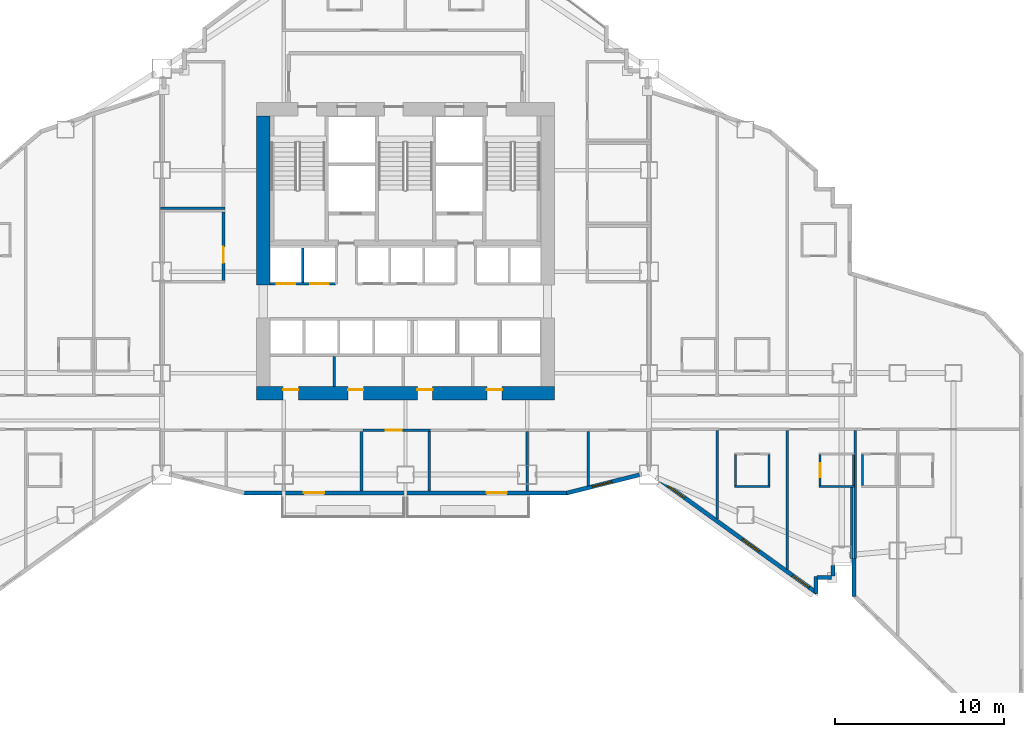
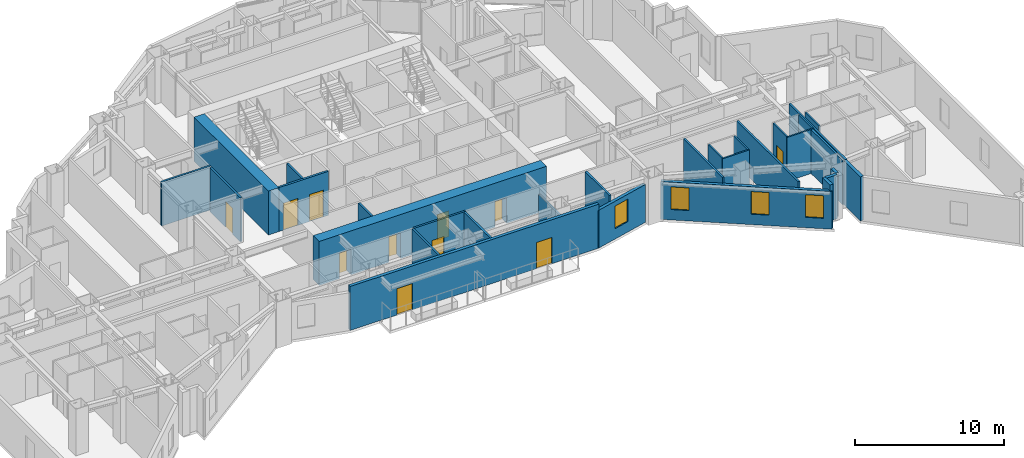
# One storey, part 8 of 18: 30 walls, 11 doors, 4 windows, 15 openings.
"""IFC4 building model written with IfcOpenShell, lengths in metres."""

from ifc_helpers import new_model, si_unit, direction, frame, frame_2d, origin, place, context, subcontext, project, spatial, rectangle, extrude, material, layer, layer_set, type_object, element, fill, save


model = new_model("IFC4")

# Units and contexts
model_context = context("Model", 3, precision=1e-05, world=origin(), true_north=direction((0.0, 1.0)))
body_context = subcontext(model_context, "Body", "Model", "MODEL_VIEW")
ifc_project = project(units=[si_unit("LENGTHUNIT", "METRE"), si_unit("AREAUNIT", "SQUARE_METRE"), si_unit("VOLUMEUNIT", "CUBIC_METRE"), si_unit("PLANEANGLEUNIT", "RADIAN"), si_unit("MASSUNIT", "GRAM", prefix="KILO")], contexts=[model_context])

# Site, building, storey
site_placement = place(None, origin())
site = spatial("IfcSite", under=ifc_project, at=site_placement, CompositionType="ELEMENT")
building_placement = place(site_placement, origin())
building = spatial("IfcBuilding", under=site, at=building_placement, Name="Haolan Belvedere Tower", CompositionType="ELEMENT")
storey_placement = place(building_placement, frame((0.0, 0.0, 51.39990234375)))
storey = spatial("IfcBuildingStorey", under=building, at=storey_placement, Name="L12", CompositionType="ELEMENT", Elevation=51.39990234375)

# Wall, openings, doors
ifc_material_1 = material(Name="Concrete C70/85", Category="concrete")
ifc_layer_1 = layer(ifc_material_1, 0.800048828125, Name="Concrete C70/85")
ifc_layer_set_1 = layer_set([ifc_layer_1], Name="Concrete C70/85")
wall_type_1 = type_object("IfcWallType", Name="WL-CORE-800", PredefinedType="SHEAR", material=ifc_layer_set_1)
wall_1_placement = place(storey_placement, frame((29.60009765625, 26.39990234375, 0.0), z_axis=(0.0, 0.0, 1.0), x_axis=(1.0, 0.0, 0.0)))
wall_1 = element("IfcWall", 1, at=wall_1_placement, inside=storey, type_object=wall_type_1, Name="L12 central core south shear wall", PredefinedType="SHEAR", context=body_context, shape_type="SweptSolid", body=[
    extrude(rectangle(XDim=17.599853515625, YDim=0.800048828125, at=frame_2d((8.7998046875, 0.0))), origin(), (0.0, 0.0, 1.0), 3.60009765625),
])
opening_1_placement = place(wall_1_placement, frame((2.469970703125, 0.0, 0.0), z_axis=(0.0, 0.0, 1.0), x_axis=(-1.0, 0.0, 0.0)))
opening_1 = element("IfcOpeningElement", 2, at=opening_1_placement, cuts=wall_1, Name="Opening FD-05", PredefinedType="OPENING", context=body_context, shape_type="SweptSolid", body=[
    extrude(rectangle(XDim=0.89990234375, YDim=2.10009765625, at=frame_2d((0.449951171875, 1.050048828125))), frame((0.0, 0.409912109375, 0.0), z_axis=(0.0, -1.0, 0.0), x_axis=(1.0, 0.0, 0.0)), (0.0, 0.0, 1.0), 0.820068359375),
])
opening_2_placement = place(wall_1_placement, frame((6.309814453125, 0.0, 0.0), z_axis=(0.0, 0.0, 1.0), x_axis=(-1.0, 0.0, 0.0)))
opening_2 = element("IfcOpeningElement", 3, at=opening_2_placement, cuts=wall_1, Name="Opening FD-05", PredefinedType="OPENING", context=body_context, shape_type="SweptSolid", body=[
    extrude(rectangle(XDim=0.89990234375, YDim=2.10009765625, at=frame_2d((0.449951171875, 1.050048828125))), frame((0.0, 0.409912109375, 0.0), z_axis=(0.0, -1.0, 0.0), x_axis=(1.0, 0.0, 0.0)), (0.0, 0.0, 1.0), 0.820068359375),
])
opening_3_placement = place(wall_1_placement, frame((10.409912109375, 0.0, 0.0), z_axis=(0.0, 0.0, 1.0), x_axis=(-1.0, 0.0, 0.0)))
opening_3 = element("IfcOpeningElement", 4, at=opening_3_placement, cuts=wall_1, Name="Opening FD-05", PredefinedType="OPENING", context=body_context, shape_type="SweptSolid", body=[
    extrude(rectangle(XDim=0.89990234375, YDim=2.10009765625, at=frame_2d((0.449951171875, 1.050048828125))), frame((0.0, 0.409912109375, 0.0), z_axis=(0.0, -1.0, 0.0), x_axis=(1.0, 0.0, 0.0)), (0.0, 0.0, 1.0), 0.820068359375),
])
opening_4_placement = place(wall_1_placement, frame((14.510009765625, 0.0, 0.0), z_axis=(0.0, 0.0, 1.0), x_axis=(-1.0, 0.0, 0.0)))
opening_4 = element("IfcOpeningElement", 5, at=opening_4_placement, cuts=wall_1, Name="Opening FD-05", PredefinedType="OPENING", context=body_context, shape_type="SweptSolid", body=[
    extrude(rectangle(XDim=0.89990234375, YDim=2.10009765625, at=frame_2d((0.449951171875, 1.050048828125))), frame((0.0, 0.409912109375, 0.0), z_axis=(0.0, -1.0, 0.0), x_axis=(1.0, 0.0, 0.0)), (0.0, 0.0, 1.0), 0.820068359375),
])
ifc_material_2 = material(Name="Galvanised fire-rated steel", Category="steel")
door_type_1 = type_object("IfcDoorType", Name="DR-FD60-900", OperationType="NOTDEFINED", PredefinedType="DOOR", material=ifc_material_2)
door_1_placement = place(opening_1_placement, origin())
door_1 = element("IfcDoor", 6, at=door_1_placement, inside=storey, type_object=door_type_1, Name="L12 door CD-L12-SCV-1", OperationType="SINGLE_SWING_LEFT", OverallHeight=2.10009765625, OverallWidth=0.89990234375, PredefinedType="DOOR", context=body_context, shape_type="SweptSolid", body=[
    extrude(rectangle(XDim=0.89990234375, YDim=2.10009765625, at=frame_2d((0.449951171875, 1.050048828125))), frame((0.0, -0.19482421875, 0.0), z_axis=(0.0, -1.0, 0.0), x_axis=(1.0, 0.0, 0.0)), (0.0, 0.0, 1.0), 0.050048828125),
])
fill(opening_1, door_1)
door_2_placement = place(opening_2_placement, origin())
door_2 = element("IfcDoor", 7, at=door_2_placement, inside=storey, type_object=door_type_1, Name="L12 door CD-L12-SCV-2", OperationType="SINGLE_SWING_RIGHT", OverallHeight=2.10009765625, OverallWidth=0.89990234375, PredefinedType="DOOR", context=body_context, shape_type="SweptSolid", body=[
    extrude(rectangle(XDim=0.89990234375, YDim=2.10009765625, at=frame_2d((0.449951171875, 1.050048828125))), frame((0.0, -0.19482421875, 0.0), z_axis=(0.0, -1.0, 0.0), x_axis=(1.0, 0.0, 0.0)), (0.0, 0.0, 1.0), 0.050048828125),
])
fill(opening_2, door_2)
door_3_placement = place(opening_3_placement, origin())
door_3 = element("IfcDoor", 8, at=door_3_placement, inside=storey, type_object=door_type_1, Name="L12 door CD-L12-SCV-3", OperationType="SINGLE_SWING_LEFT", OverallHeight=2.10009765625, OverallWidth=0.89990234375, PredefinedType="DOOR", context=body_context, shape_type="SweptSolid", body=[
    extrude(rectangle(XDim=0.89990234375, YDim=2.10009765625, at=frame_2d((0.449951171875, 1.050048828125))), frame((0.0, -0.19482421875, 0.0), z_axis=(0.0, -1.0, 0.0), x_axis=(1.0, 0.0, 0.0)), (0.0, 0.0, 1.0), 0.050048828125),
])
fill(opening_3, door_3)
door_4_placement = place(opening_4_placement, origin())
door_4 = element("IfcDoor", 9, at=door_4_placement, inside=storey, type_object=door_type_1, Name="L12 door CD-L12-SCV-4", OperationType="SINGLE_SWING_RIGHT", OverallHeight=2.10009765625, OverallWidth=0.89990234375, PredefinedType="DOOR", context=body_context, shape_type="SweptSolid", body=[
    extrude(rectangle(XDim=0.89990234375, YDim=2.10009765625, at=frame_2d((0.449951171875, 1.050048828125))), frame((0.0, -0.19482421875, 0.0), z_axis=(0.0, -1.0, 0.0), x_axis=(1.0, 0.0, 0.0)), (0.0, 0.0, 1.0), 0.050048828125),
])
fill(opening_4, door_4)

# Wall
wall_2_placement = place(storey_placement, frame((30.0, 32.800048828125, 0.0), z_axis=(0.0, 0.0, 1.0), x_axis=(0.0, 1.0, 0.0)))
element("IfcWall", 10, at=wall_2_placement, inside=storey, type_object=wall_type_1, Name="L12 central core shear wall WN", PredefinedType="SHEAR", context=body_context, shape_type="SweptSolid", body=[
    extrude(rectangle(XDim=10.0, YDim=0.800048828125, at=frame_2d((5.0, 0.0))), origin(), (0.0, 0.0, 1.0), 3.60009765625),
])

# Wall, openings, doors
ifc_material_3 = material(Name="Precast concrete C40/50", Category="concrete")
ifc_layer_2 = layer(ifc_material_3, 0.239990234375, Name="Precast concrete C40/50")
ifc_layer_set_2 = layer_set([ifc_layer_2], Name="Precast concrete C40/50")
wall_type_2 = type_object("IfcWallType", Name="WL-EXT-240", PredefinedType="SOLIDWALL", material=ifc_layer_set_2)
wall_3_placement = place(storey_placement, frame((28.759765625, 20.52001953125, 0.0), z_axis=(0.0, 0.0, 1.0), x_axis=(1.0, 0.0, 0.0)))
wall_3 = element("IfcWall", 11, at=wall_3_placement, inside=storey, type_object=wall_type_2, Name="L12 pale-metal exterior spandrel wall 13.1", PredefinedType="SOLIDWALL", context=body_context, shape_type="SweptSolid", body=[
    extrude(rectangle(XDim=19.280517578125, YDim=0.239990234375, at=frame_2d((9.64013671875, 0.0))), origin(), (0.0, 0.0, 1.0), 3.60009765625),
])
opening_5_placement = place(wall_3_placement, frame((4.840087890625, 0.0, 0.0), z_axis=(0.0, 0.0, 1.0), x_axis=(-1.0, 0.0, 0.0)))
opening_5 = element("IfcOpeningElement", 12, at=opening_5_placement, cuts=wall_3, Name="Opening BD-01", PredefinedType="OPENING", context=body_context, shape_type="SweptSolid", body=[
    extrude(rectangle(XDim=1.199951171875, YDim=2.14990234375, at=frame_2d((0.60009765625, 1.074951171875))), frame((0.0, 0.1298828125, 0.0), z_axis=(0.0, -1.0, 0.0), x_axis=(1.0, 0.0, 0.0)), (0.0, 0.0, 1.0), 0.260009765625),
])
opening_6_placement = place(wall_3_placement, frame((15.64013671875, 0.0, 0.0), z_axis=(0.0, 0.0, 1.0), x_axis=(-1.0, 0.0, 0.0)))
opening_6 = element("IfcOpeningElement", 13, at=opening_6_placement, cuts=wall_3, Name="Opening BD-01", PredefinedType="OPENING", context=body_context, shape_type="SweptSolid", body=[
    extrude(rectangle(XDim=1.199951171875, YDim=2.14990234375, at=frame_2d((0.60009765625, 1.074951171875))), frame((0.0, 0.1298828125, 0.0), z_axis=(0.0, -1.0, 0.0), x_axis=(1.0, 0.0, 0.0)), (0.0, 0.0, 1.0), 0.260009765625),
])
ifc_material_4 = material(Name="Thermally broken pale-metal aluminium and Low-E glass", Category="aluminium")
door_type_2 = type_object("IfcDoorType", Name="DR-BAL-1200", OperationType="NOTDEFINED", PredefinedType="DOOR", material=ifc_material_4)
door_5_placement = place(opening_5_placement, origin())
door_5 = element("IfcDoor", 14, at=door_5_placement, inside=storey, type_object=door_type_2, Name="L12 tree-balcony access door 1", OperationType="SINGLE_SWING_RIGHT", OverallHeight=2.14990234375, OverallWidth=1.199951171875, PredefinedType="DOOR", context=body_context, shape_type="SweptSolid", body=[
    extrude(rectangle(XDim=1.199951171875, YDim=2.14990234375, at=frame_2d((0.60009765625, 1.074951171875))), frame((0.0, 0.02490234375, 0.0), z_axis=(0.0, -1.0, 0.0), x_axis=(1.0, 0.0, 0.0)), (0.0, 0.0, 1.0), 0.050048828125),
])
fill(opening_5, door_5)
door_6_placement = place(opening_6_placement, origin())
door_6 = element("IfcDoor", 15, at=door_6_placement, inside=storey, type_object=door_type_2, Name="L12 tree-balcony access door 2", OperationType="SINGLE_SWING_LEFT", OverallHeight=2.14990234375, OverallWidth=1.199951171875, PredefinedType="DOOR", context=body_context, shape_type="SweptSolid", body=[
    extrude(rectangle(XDim=1.199951171875, YDim=2.14990234375, at=frame_2d((0.60009765625, 1.074951171875))), frame((0.0, 0.02490234375, 0.0), z_axis=(0.0, -1.0, 0.0), x_axis=(1.0, 0.0, 0.0)), (0.0, 0.0, 1.0), 0.050048828125),
])
fill(opening_6, door_6)

# Wall, opening, window
wall_4_placement = place(storey_placement, frame((47.931884765625, 20.506591796875, 0.0), z_axis=(0.0, 0.0, 1.0), x_axis=(0.970145739396, 0.242522667667, 0.0)))
wall_4 = element("IfcWall", 16, at=wall_4_placement, inside=storey, type_object=wall_type_2, Name="L12 pale-metal exterior spandrel wall 14.1", PredefinedType="SOLIDWALL", context=body_context, shape_type="SweptSolid", body=[
    extrude(rectangle(XDim=4.433349609375, YDim=0.239990234375, at=frame_2d((2.216796875, 0.0))), origin(), (0.0, 0.0, 1.0), 3.09716796875),
])
opening_7_placement = place(wall_4_placement, frame((1.568603515625, 0.0, 0.85009765625)))
opening_7 = element("IfcOpeningElement", 17, at=opening_7_placement, cuts=wall_4, Name="Opening W-01", PredefinedType="OPENING", context=body_context, shape_type="SweptSolid", body=[
    extrude(rectangle(XDim=1.199951171875, YDim=1.85009765625, at=frame_2d((0.60009765625, 0.925048828125))), frame((0.0, 0.1298828125, 0.0), z_axis=(0.0, -1.0, 0.0), x_axis=(1.0, 0.0, 0.0)), (0.0, 0.0, 1.0), 0.260009765625),
])
ifc_material_5 = material(Name="Anodised aluminium 6063-T6 and Low-E glass", Category="aluminium")
window_type = type_object("IfcWindowType", Name="WN-DECO-Z1", PartitioningType="SINGLE_PANEL", PredefinedType="WINDOW", material=ifc_material_5)
window_1_placement = place(opening_7_placement, origin())
window_1 = element("IfcWindow", 18, at=window_1_placement, inside=storey, type_object=window_type, Name="L12 Art Deco chevron window 1", OverallHeight=1.85009765625, OverallWidth=1.199951171875, PartitioningType="SINGLE_PANEL", PredefinedType="WINDOW", context=body_context, shape_type="SweptSolid", body=[
    extrude(rectangle(XDim=1.199951171875, YDim=1.85009765625, at=frame_2d((0.60009765625, 0.925048828125))), frame((0.0, 0.030029296875, 0.0), z_axis=(0.0, -1.0, 0.0), x_axis=(1.0, 0.0, 0.0)), (0.0, 0.0, 1.0), 0.06005859375),
])
fill(opening_7, window_1)

# Wall, openings, windows
wall_5_placement = place(storey_placement, frame((53.366943359375, 21.339599609375, 0.0), z_axis=(0.0, 0.0, 1.0), x_axis=(0.811543176492, -0.58429245476, 0.0)))
wall_5 = element("IfcWall", 19, at=wall_5_placement, inside=storey, type_object=wall_type_2, Name="L12 pale-metal exterior spandrel wall 15.1", PredefinedType="SOLIDWALL", context=body_context, shape_type="SweptSolid", body=[
    extrude(rectangle(XDim=11.53076171875, YDim=0.239990234375, at=frame_2d((5.765380859375, 0.0))), origin(), (0.0, 0.0, 1.0), 3.09716796875),
])
opening_8_placement = place(wall_5_placement, frame((0.699951171875, 0.0, 0.85009765625)))
opening_8 = element("IfcOpeningElement", 20, at=opening_8_placement, cuts=wall_5, Name="Opening W-01", PredefinedType="OPENING", context=body_context, shape_type="SweptSolid", body=[
    extrude(rectangle(XDim=1.199951171875, YDim=1.85009765625, at=frame_2d((0.60009765625, 0.925048828125))), frame((0.0, 0.1298828125, 0.0), z_axis=(0.0, -1.0, 0.0), x_axis=(1.0, 0.0, 0.0)), (0.0, 0.0, 1.0), 0.260009765625),
])
opening_9_placement = place(wall_5_placement, frame((6.10009765625, 0.0, 0.85009765625)))
opening_9 = element("IfcOpeningElement", 21, at=opening_9_placement, cuts=wall_5, Name="Opening W-01", PredefinedType="OPENING", context=body_context, shape_type="SweptSolid", body=[
    extrude(rectangle(XDim=1.199951171875, YDim=1.85009765625, at=frame_2d((0.60009765625, 0.925048828125))), frame((0.0, 0.1298828125, 0.0), z_axis=(0.0, -1.0, 0.0), x_axis=(1.0, 0.0, 0.0)), (0.0, 0.0, 1.0), 0.260009765625),
])
opening_10_placement = place(wall_5_placement, frame((9.761962890625, 0.0, 0.85009765625)))
opening_10 = element("IfcOpeningElement", 22, at=opening_10_placement, cuts=wall_5, Name="Opening W-01", PredefinedType="OPENING", context=body_context, shape_type="SweptSolid", body=[
    extrude(rectangle(XDim=1.199951171875, YDim=1.85009765625, at=frame_2d((0.60009765625, 0.925048828125))), frame((0.0, 0.1298828125, 0.0), z_axis=(0.0, -1.0, 0.0), x_axis=(1.0, 0.0, 0.0)), (0.0, 0.0, 1.0), 0.260009765625),
])
window_2_placement = place(opening_8_placement, origin())
window_2 = element("IfcWindow", 23, at=window_2_placement, inside=storey, type_object=window_type, Name="L12 Art Deco chevron window 1", OverallHeight=1.85009765625, OverallWidth=1.199951171875, PartitioningType="SINGLE_PANEL", PredefinedType="WINDOW", context=body_context, shape_type="SweptSolid", body=[
    extrude(rectangle(XDim=1.199951171875, YDim=1.85009765625, at=frame_2d((0.60009765625, 0.925048828125))), frame((0.0, 0.030029296875, 0.0), z_axis=(0.0, -1.0, 0.0), x_axis=(1.0, 0.0, 0.0)), (0.0, 0.0, 1.0), 0.06005859375),
])
fill(opening_8, window_2)
window_3_placement = place(opening_9_placement, origin())
window_3 = element("IfcWindow", 24, at=window_3_placement, inside=storey, type_object=window_type, Name="L12 Art Deco chevron window 2", OverallHeight=1.85009765625, OverallWidth=1.199951171875, PartitioningType="SINGLE_PANEL", PredefinedType="WINDOW", context=body_context, shape_type="SweptSolid", body=[
    extrude(rectangle(XDim=1.199951171875, YDim=1.85009765625, at=frame_2d((0.60009765625, 0.925048828125))), frame((0.0, 0.030029296875, 0.0), z_axis=(0.0, -1.0, 0.0), x_axis=(1.0, 0.0, 0.0)), (0.0, 0.0, 1.0), 0.06005859375),
])
fill(opening_9, window_3)
window_4_placement = place(opening_10_placement, origin())
window_4 = element("IfcWindow", 25, at=window_4_placement, inside=storey, type_object=window_type, Name="L12 Art Deco guestroom window 1", OverallHeight=1.85009765625, OverallWidth=1.199951171875, PartitioningType="SINGLE_PANEL", PredefinedType="WINDOW", context=body_context, shape_type="SweptSolid", body=[
    extrude(rectangle(XDim=1.199951171875, YDim=1.85009765625, at=frame_2d((0.60009765625, 0.925048828125))), frame((0.0, 0.030029296875, 0.0), z_axis=(0.0, -1.0, 0.0), x_axis=(1.0, 0.0, 0.0)), (0.0, 0.0, 1.0), 0.06005859375),
])
fill(opening_10, window_4)

# Walls
wall_6_placement = place(storey_placement, frame((62.679931640625, 14.579345703125, 0.0), z_axis=(0.0, 0.0, 1.0), x_axis=(0.0, 1.0, 0.0)))
element("IfcWall", 26, at=wall_6_placement, inside=storey, type_object=wall_type_2, Name="L12 pale-metal exterior spandrel wall 16.1", PredefinedType="SOLIDWALL", context=body_context, shape_type="SweptSolid", body=[
    extrude(rectangle(XDim=0.99560546875, YDim=0.239990234375, at=frame_2d((0.497802734375, 0.0))), origin(), (0.0, 0.0, 1.0), 3.60009765625),
])
wall_7_placement = place(storey_placement, frame((62.7451171875, 15.52001953125, 0.0), z_axis=(0.0, 0.0, 1.0), x_axis=(1.0, 0.0, 0.0)))
element("IfcWall", 27, at=wall_7_placement, inside=storey, type_object=wall_type_2, Name="L12 pale-metal exterior spandrel wall 17.1", PredefinedType="SOLIDWALL", context=body_context, shape_type="SweptSolid", body=[
    extrude(rectangle(XDim=0.849853515625, YDim=0.239990234375, at=frame_2d((0.4248046875, 0.0))), origin(), (0.0, 0.0, 1.0), 3.60009765625),
])
wall_8_placement = place(storey_placement, frame((63.679931640625, 15.60498046875, 0.0), z_axis=(0.0, 0.0, 1.0), x_axis=(0.0, 1.0, 0.0)))
element("IfcWall", 28, at=wall_8_placement, inside=storey, type_object=wall_type_2, Name="L12 pale-metal exterior spandrel wall 18.1", PredefinedType="SOLIDWALL", context=body_context, shape_type="SweptSolid", body=[
    extrude(rectangle(XDim=0.6279296875, YDim=0.239990234375, at=frame_2d((0.31396484375, 0.0))), origin(), (0.0, 0.0, 1.0), 3.60009765625),
])
wall_9_placement = place(storey_placement, frame((64.919921875, 16.639892578125, 0.0), z_axis=(0.0, 0.0, 1.0), x_axis=(0.0, -1.0, 0.0)))
element("IfcWall", 29, at=wall_9_placement, inside=storey, type_object=wall_type_2, Name="L12 pale-metal exterior spandrel wall 20.1", PredefinedType="SOLIDWALL", context=body_context, shape_type="SweptSolid", body=[
    extrude(rectangle(XDim=2.244140625, YDim=0.239990234375, at=frame_2d((1.1220703125, 0.0))), origin(), (0.0, 0.0, 1.0), 3.60009765625),
])
ifc_material_6 = material(Name="Double gypsum acoustic stud partition", Category="masonry")
ifc_layer_3 = layer(ifc_material_6, 0.14990234375, Name="Double gypsum acoustic stud partition")
ifc_layer_set_3 = layer_set([ifc_layer_3], Name="Double gypsum acoustic stud partition")
wall_type_3 = type_object("IfcWallType", Name="WL-PART-150", PredefinedType="PARTITIONING", material=ifc_layer_set_3)
wall_10_placement = place(storey_placement, frame((34.179931640625, 26.81005859375, 0.0), z_axis=(0.0, 0.0, 1.0), x_axis=(0.0, 1.0, 0.0)))
element("IfcWall", 30, at=wall_10_placement, inside=storey, type_object=wall_type_3, Name="L12 interior partition IW-L12-SCV-DIV-1", PredefinedType="PARTITIONING", context=body_context, shape_type="SweptSolid", body=[
    extrude(rectangle(XDim=1.77001953125, YDim=0.14990234375, at=frame_2d((0.885009765625, 0.0))), origin(), (0.0, 0.0, 1.0), 3.60009765625),
])

# Wall, opening, door
wall_11_placement = place(storey_placement, frame((27.639892578125, 33.06005859375, 0.0), z_axis=(0.0, 0.0, 1.0), x_axis=(0.0, 1.0, 0.0)))
wall_11 = element("IfcWall", 31, at=wall_11_placement, inside=storey, type_object=wall_type_3, Name="L12 interior partition IW-L12-HSK-E", PredefinedType="PARTITIONING", context=body_context, shape_type="SweptSolid", body=[
    extrude(rectangle(XDim=4.079833984375, YDim=0.14990234375, at=frame_2d((2.0400390625, 0.0))), origin(), (0.0, 0.0, 1.0), 3.60009765625),
])
opening_11_placement = place(wall_11_placement, frame((2.010009765625, 0.0, 0.0), z_axis=(0.0, 0.0, 1.0), x_axis=(-1.0, 0.0, 0.0)))
opening_11 = element("IfcOpeningElement", 32, at=opening_11_placement, cuts=wall_11, Name="Opening ID-03", PredefinedType="OPENING", context=body_context, shape_type="SweptSolid", body=[
    extrude(rectangle(XDim=0.949951171875, YDim=2.1201171875, at=frame_2d((0.47509765625, 1.06005859375))), frame((0.0, 0.0849609375, 0.0), z_axis=(0.0, -1.0, 0.0), x_axis=(1.0, 0.0, 0.0)), (0.0, 0.0, 1.0), 0.169921875),
])
ifc_material_7 = material(Name="Painted solid-core timber", Category="wood")
door_type_3 = type_object("IfcDoorType", Name="DR-INT-950", OperationType="NOTDEFINED", PredefinedType="DOOR", material=ifc_material_7)
door_7_placement = place(opening_11_placement, origin())
door_7 = element("IfcDoor", 33, at=door_7_placement, inside=storey, type_object=door_type_3, Name="L12 door ID-L12-HSK", OperationType="SINGLE_SWING_LEFT", OverallHeight=2.1201171875, OverallWidth=0.949951171875, PredefinedType="DOOR", context=body_context, shape_type="SweptSolid", body=[
    extrude(rectangle(XDim=0.949951171875, YDim=2.1201171875, at=frame_2d((0.47509765625, 1.06005859375))), frame((0.0, 0.02490234375, 0.0), z_axis=(0.0, -1.0, 0.0), x_axis=(1.0, 0.0, 0.0)), (0.0, 0.0, 1.0), 0.050048828125),
])
fill(opening_11, door_7)

# Walls
wall_12_placement = place(storey_placement, frame((23.919921875, 37.360107421875, 0.0), z_axis=(0.0, 0.0, 1.0), x_axis=(1.0, 0.0, 0.0)))
element("IfcWall", 34, at=wall_12_placement, inside=storey, type_object=wall_type_3, Name="L12 interior partition IW-L12-MTG-S", PredefinedType="PARTITIONING", context=body_context, shape_type="SweptSolid", body=[
    extrude(rectangle(XDim=3.800048828125, YDim=0.14990234375, at=frame_2d((1.89990234375, 0.0))), origin(), (0.0, 0.0, 1.0), 3.60009765625),
])
wall_13_placement = place(storey_placement, frame((35.800048828125, 20.625, 0.0), z_axis=(0.0, 0.0, 1.0), x_axis=(0.0, 1.0, 0.0)))
element("IfcWall", 35, at=wall_13_placement, inside=storey, type_object=wall_type_3, Name="L12 interior partition IW-L12-KS3-E", PredefinedType="PARTITIONING", context=body_context, shape_type="SweptSolid", body=[
    extrude(rectangle(XDim=3.534912109375, YDim=0.14990234375, at=frame_2d((1.767578125, 0.0))), origin(), (0.0, 0.0, 1.0), 3.60009765625),
])

# Wall, opening, door
wall_14_placement = place(storey_placement, frame((35.882080078125, 24.219970703125, 0.0), z_axis=(0.0, 0.0, 1.0), x_axis=(1.0, 0.0, 0.0)))
wall_14 = element("IfcWall", 36, at=wall_14_placement, inside=storey, type_object=wall_type_3, Name="L12 interior partition IW-L12-KS4-N", PredefinedType="PARTITIONING", context=body_context, shape_type="SweptSolid", body=[
    extrude(rectangle(XDim=3.997802734375, YDim=0.14990234375, at=frame_2d((1.9990234375, 0.0))), origin(), (0.0, 0.0, 1.0), 3.60009765625),
])
opening_12_placement = place(wall_14_placement, frame((2.31298828125, 0.0, 0.0), z_axis=(0.0, 0.0, 1.0), x_axis=(-1.0, 0.0, 0.0)))
opening_12 = element("IfcOpeningElement", 37, at=opening_12_placement, cuts=wall_14, Name="Opening ID-03", PredefinedType="OPENING", context=body_context, shape_type="SweptSolid", body=[
    extrude(rectangle(XDim=0.949951171875, YDim=2.1201171875, at=frame_2d((0.47509765625, 1.06005859375))), frame((0.0, 0.0849609375, 0.0), z_axis=(0.0, -1.0, 0.0), x_axis=(1.0, 0.0, 0.0)), (0.0, 0.0, 1.0), 0.169921875),
])
door_8_placement = place(opening_12_placement, origin())
door_8 = element("IfcDoor", 38, at=door_8_placement, inside=storey, type_object=door_type_3, Name="L12 door ID-L12-KS4", OperationType="SINGLE_SWING_LEFT", OverallHeight=2.1201171875, OverallWidth=0.949951171875, PredefinedType="DOOR", context=body_context, shape_type="SweptSolid", body=[
    extrude(rectangle(XDim=0.949951171875, YDim=2.1201171875, at=frame_2d((0.47509765625, 1.06005859375))), frame((0.0, 0.02490234375, 0.0), z_axis=(0.0, -1.0, 0.0), x_axis=(1.0, 0.0, 0.0)), (0.0, 0.0, 1.0), 0.050048828125),
])
fill(opening_12, door_8)

# Walls
wall_15_placement = place(storey_placement, frame((39.800048828125, 20.625, 0.0), z_axis=(0.0, 0.0, 1.0), x_axis=(0.0, 1.0, 0.0)))
element("IfcWall", 39, at=wall_15_placement, inside=storey, type_object=wall_type_3, Name="L12 interior partition IW-L12-KS4-E", PredefinedType="PARTITIONING", context=body_context, shape_type="SweptSolid", body=[
    extrude(rectangle(XDim=3.534912109375, YDim=0.14990234375, at=frame_2d((1.767578125, 0.0))), origin(), (0.0, 0.0, 1.0), 3.60009765625),
])
wall_16_placement = place(storey_placement, frame((45.60009765625, 20.625, 0.0), z_axis=(0.0, 0.0, 1.0), x_axis=(0.0, 1.0, 0.0)))
element("IfcWall", 40, at=wall_16_placement, inside=storey, type_object=wall_type_3, Name="L12 interior partition IW-L12-KS5-E", PredefinedType="PARTITIONING", context=body_context, shape_type="SweptSolid", body=[
    extrude(rectangle(XDim=3.534912109375, YDim=0.14990234375, at=frame_2d((1.767578125, 0.0))), origin(), (0.0, 0.0, 1.0), 2.985107421875),
])
wall_17_placement = place(storey_placement, frame((49.199951171875, 20.931884765625, 0.0), z_axis=(0.0, 0.0, 1.0), x_axis=(0.0, 1.0, 0.0)))
element("IfcWall", 41, at=wall_17_placement, inside=storey, type_object=wall_type_3, Name="L12 interior partition IW-L12-KS6-E", PredefinedType="PARTITIONING", context=body_context, shape_type="SweptSolid", body=[
    extrude(rectangle(XDim=3.22802734375, YDim=0.14990234375, at=frame_2d((1.614013671875, 0.0))), origin(), (0.0, 0.0, 1.0), 3.60009765625),
])
wall_18_placement = place(storey_placement, frame((56.830078125, 18.9755859375, 0.0), z_axis=(0.0, 0.0, 1.0), x_axis=(0.0, 1.0, 0.0)))
element("IfcWall", 42, at=wall_18_placement, inside=storey, type_object=wall_type_3, Name="L12 interior partition IW-L12-T4S1-E", PredefinedType="PARTITIONING", context=body_context, shape_type="SweptSolid", body=[
    extrude(rectangle(XDim=5.234375, YDim=0.14990234375, at=frame_2d((2.6171875, 0.0))), origin(), (0.0, 0.0, 1.0), 3.60009765625),
])
wall_19_placement = place(storey_placement, frame((60.969970703125, 15.994873046875, 0.0), z_axis=(0.0, 0.0, 1.0), x_axis=(0.0, 1.0, 0.0)))
element("IfcWall", 43, at=wall_19_placement, inside=storey, type_object=wall_type_3, Name="L12 interior partition IW-L12-T4S2-E", PredefinedType="PARTITIONING", context=body_context, shape_type="SweptSolid", body=[
    extrude(rectangle(XDim=8.215087890625, YDim=0.14990234375, at=frame_2d((4.107421875, 0.0))), origin(), (0.0, 0.0, 1.0), 3.60009765625),
])
wall_20_placement = place(storey_placement, frame((65.0, 16.64208984375, 0.0), z_axis=(0.0, 0.0, 1.0), x_axis=(0.0, 1.0, 0.0)))
element("IfcWall", 44, at=wall_20_placement, inside=storey, type_object=wall_type_3, Name="L12 interior partition IW-L12-T4S3-E", PredefinedType="PARTITIONING", context=body_context, shape_type="SweptSolid", body=[
    extrude(rectangle(XDim=7.56787109375, YDim=0.14990234375, at=frame_2d((3.783935546875, 0.0))), origin(), (0.0, 0.0, 1.0), 3.60009765625),
])
wall_21_placement = place(storey_placement, frame((64.780029296875, 16.612060546875, 0.0), z_axis=(0.0, 0.0, 1.0), x_axis=(0.0, 1.0, 0.0)))
element("IfcWall", 45, at=wall_21_placement, inside=storey, type_object=wall_type_3, Name="L12 interior partition IW-L12-T5S1-W", PredefinedType="PARTITIONING", context=body_context, shape_type="SweptSolid", body=[
    extrude(rectangle(XDim=4.242919921875, YDim=0.14990234375, at=frame_2d((2.12158203125, 0.0))), origin(), (0.0, 0.0, 1.0), 3.60009765625),
])

# Wall, openings, doors
ifc_material_8 = material(Name="Gypsum fire shaftwall assembly", Category="masonry")
ifc_layer_4 = layer(ifc_material_8, 0.1650390625, Name="Gypsum fire shaftwall assembly")
ifc_layer_set_4 = layer_set([ifc_layer_4], Name="Gypsum fire shaftwall assembly")
wall_type_4 = type_object("IfcWallType", Name="WL-SHAFT-160", PredefinedType="SOLIDWALL", material=ifc_layer_set_4)
wall_22_placement = place(storey_placement, frame((30.39990234375, 32.8798828125, 0.0), z_axis=(0.0, 0.0, 1.0), x_axis=(1.0, 0.0, 0.0)))
wall_22 = element("IfcWall", 46, at=wall_22_placement, inside=storey, type_object=wall_type_4, Name="L12 interior partition IW-L12-ROW-PN1", PredefinedType="SOLIDWALL", context=body_context, shape_type="SweptSolid", body=[
    extrude(rectangle(XDim=3.85009765625, YDim=0.159912109375, at=frame_2d((1.925048828125, 0.0))), origin(), (0.0, 0.0, 1.0), 3.60009765625),
])
opening_13_placement = place(wall_22_placement, frame((1.47998046875, 0.0, 0.0), z_axis=(0.0, 0.0, 1.0), x_axis=(-1.0, 0.0, 0.0)))
opening_13 = element("IfcOpeningElement", 47, at=opening_13_placement, cuts=wall_22, Name="Opening LD-01", PredefinedType="OPENING", context=body_context, shape_type="SweptSolid", body=[
    extrude(rectangle(XDim=1.10009765625, YDim=2.199951171875, at=frame_2d((0.550048828125, 1.10009765625))), frame((0.0, 0.08984375, 0.0), z_axis=(0.0, -1.0, 0.0), x_axis=(1.0, 0.0, 0.0)), (0.0, 0.0, 1.0), 0.179931640625),
])
opening_14_placement = place(wall_22_placement, frame((3.47021484375, 0.0, 0.0), z_axis=(0.0, 0.0, 1.0), x_axis=(-1.0, 0.0, 0.0)))
opening_14 = element("IfcOpeningElement", 48, at=opening_14_placement, cuts=wall_22, Name="Opening LD-01", PredefinedType="OPENING", context=body_context, shape_type="SweptSolid", body=[
    extrude(rectangle(XDim=1.10009765625, YDim=2.199951171875, at=frame_2d((0.550048828125, 1.10009765625))), frame((0.0, 0.08984375, 0.0), z_axis=(0.0, -1.0, 0.0), x_axis=(1.0, 0.0, 0.0)), (0.0, 0.0, 1.0), 0.179931640625),
])
ifc_material_9 = material(Name="Brushed champagne stainless steel 316L", Category="steel")
door_type_4 = type_object("IfcDoorType", Name="DR-LIFT-1100", OperationType="SLIDING_TO_LEFT", PredefinedType="DOOR", material=ifc_material_9)
door_9_placement = place(opening_13_placement, origin())
door_9 = element("IfcDoor", 49, at=door_9_placement, inside=storey, type_object=door_type_4, Name="L12 door ID-L12-LD-PL1", OperationType="SLIDING_TO_LEFT", OverallHeight=2.199951171875, OverallWidth=1.10009765625, PredefinedType="DOOR", context=body_context, shape_type="SweptSolid", body=[
    extrude(rectangle(XDim=1.10009765625, YDim=2.199951171875, at=frame_2d((0.550048828125, 1.10009765625))), frame((0.0, 0.02490234375, 0.0), z_axis=(0.0, -1.0, 0.0), x_axis=(1.0, 0.0, 0.0)), (0.0, 0.0, 1.0), 0.050048828125),
])
fill(opening_13, door_9)
door_10_placement = place(opening_14_placement, origin())
door_10 = element("IfcDoor", 50, at=door_10_placement, inside=storey, type_object=door_type_4, Name="L12 door ID-L12-LD-PL2", OperationType="SLIDING_TO_LEFT", OverallHeight=2.199951171875, OverallWidth=1.10009765625, PredefinedType="DOOR", context=body_context, shape_type="SweptSolid", body=[
    extrude(rectangle(XDim=1.10009765625, YDim=2.199951171875, at=frame_2d((0.550048828125, 1.10009765625))), frame((0.0, 0.02490234375, 0.0), z_axis=(0.0, -1.0, 0.0), x_axis=(1.0, 0.0, 0.0)), (0.0, 0.0, 1.0), 0.050048828125),
])
fill(opening_14, door_10)

# Walls
wall_23_placement = place(storey_placement, frame((32.340087890625, 32.949951171875, 0.0), z_axis=(0.0, 0.0, 1.0), x_axis=(0.0, 1.0, 0.0)))
element("IfcWall", 51, at=wall_23_placement, inside=storey, type_object=wall_type_4, Name="L12 interior partition IW-L12-DIV-PL1", PredefinedType="SOLIDWALL", context=body_context, shape_type="SweptSolid", body=[
    extrude(rectangle(XDim=2.050048828125, YDim=0.14990234375, at=frame_2d((1.02490234375, 0.0))), origin(), (0.0, 0.0, 1.0), 3.60009765625),
])
ifc_material_10 = material(Name="Moisture-resistant gypsum tile partition", Category="masonry")
ifc_layer_5 = layer(ifc_material_10, 0.1201171875, Name="Moisture-resistant gypsum tile partition")
ifc_layer_set_5 = layer_set([ifc_layer_5], Name="Moisture-resistant gypsum tile partition")
wall_type_5 = type_object("IfcWallType", Name="WL-WET-120", PredefinedType="PARTITIONING", material=ifc_layer_set_5)
wall_24_placement = place(storey_placement, frame((57.85595703125, 20.89990234375, 0.0), z_axis=(0.0, 0.0, 1.0), x_axis=(1.0, 0.0, 0.0)))
element("IfcWall", 52, at=wall_24_placement, inside=storey, type_object=wall_type_5, Name="L12 interior partition IW-L12-T4S2-BS", PredefinedType="PARTITIONING", context=body_context, shape_type="SweptSolid", body=[
    extrude(rectangle(XDim=2.10009765625, YDim=0.1201171875, at=frame_2d((1.050048828125, 0.0))), origin(), (0.0, 0.0, 1.0), 3.60009765625),
])
for number, where, z_axis, x_axis, name in (
    (53, (57.916015625, 20.945068359375, 0.0), (0.0, 0.0, 1.0), (0.0, 1.0, 0.0), "L12 interior partition IW-L12-T4S2-BW"),
    (54, (59.89599609375, 20.945068359375, 0.0), (0.0, 0.0, 1.0), (0.0, 1.0, 0.0), "L12 interior partition IW-L12-T4S2-BE"),
):
    element("IfcWall", number, at=place(storey_placement, frame(where, z_axis=z_axis, x_axis=x_axis)), inside=storey, type_object=wall_type_5, Name=name, PredefinedType="PARTITIONING", context=body_context, shape_type="SweptSolid", body=[
        extrude(rectangle(XDim=1.829833984375, YDim=0.1201171875, at=frame_2d((0.9150390625, 0.0))), origin(), (0.0, 0.0, 1.0), 3.60009765625),
    ])
wall_25_placement = place(storey_placement, frame((62.860107421875, 20.89990234375, 0.0), z_axis=(0.0, 0.0, 1.0), x_axis=(1.0, 0.0, 0.0)))
element("IfcWall", 55, at=wall_25_placement, inside=storey, type_object=wall_type_5, Name="L12 interior partition IW-L12-T4S3-BS", PredefinedType="PARTITIONING", context=body_context, shape_type="SweptSolid", body=[
    extrude(rectangle(XDim=2.079833984375, YDim=0.1201171875, at=frame_2d((1.0400390625, 0.0))), origin(), (0.0, 0.0, 1.0), 3.60009765625),
])

# Wall, opening, door
wall_26_placement = place(storey_placement, frame((62.919921875, 20.945068359375, 0.0), z_axis=(0.0, 0.0, 1.0), x_axis=(0.0, 1.0, 0.0)))
wall_26 = element("IfcWall", 56, at=wall_26_placement, inside=storey, type_object=wall_type_5, Name="L12 interior partition IW-L12-T4S3-BW", PredefinedType="PARTITIONING", context=body_context, shape_type="SweptSolid", body=[
    extrude(rectangle(XDim=1.829833984375, YDim=0.1201171875, at=frame_2d((0.9150390625, 0.0))), origin(), (0.0, 0.0, 1.0), 3.60009765625),
])
opening_15_placement = place(wall_26_placement, frame((1.340087890625, 0.0, 0.0), z_axis=(0.0, 0.0, 1.0), x_axis=(-1.0, 0.0, 0.0)))
opening_15 = element("IfcOpeningElement", 57, at=opening_15_placement, cuts=wall_26, Name="Opening ID-05", PredefinedType="OPENING", context=body_context, shape_type="SweptSolid", body=[
    extrude(rectangle(XDim=0.85009765625, YDim=2.10009765625, at=frame_2d((0.425048828125, 1.050048828125))), frame((0.0, 0.070068359375, 0.0), z_axis=(0.0, -1.0, 0.0), x_axis=(1.0, 0.0, 0.0)), (0.0, 0.0, 1.0), 0.14013671875),
])
ifc_material_11 = material(Name="Moisture-resistant lacquered timber", Category="wood")
door_type_5 = type_object("IfcDoorType", Name="DR-BATH-850", OperationType="NOTDEFINED", PredefinedType="DOOR", material=ifc_material_11)
door_11_placement = place(opening_15_placement, origin())
door_11 = element("IfcDoor", 58, at=door_11_placement, inside=storey, type_object=door_type_5, Name="L12 door ID-L12-T4S3-BATH", OperationType="SINGLE_SWING_LEFT", OverallHeight=2.10009765625, OverallWidth=0.85009765625, PredefinedType="DOOR", context=body_context, shape_type="SweptSolid", body=[
    extrude(rectangle(XDim=0.85009765625, YDim=2.10009765625, at=frame_2d((0.425048828125, 1.050048828125))), frame((0.0, 0.02490234375, 0.0), z_axis=(0.0, -1.0, 0.0), x_axis=(1.0, 0.0, 0.0)), (0.0, 0.0, 1.0), 0.050048828125),
])
fill(opening_15, door_11)

# Walls
for number, where, z_axis, x_axis, name in (
    (59, (64.89990234375, 20.945068359375, 0.0), (0.0, 0.0, 1.0), (0.0, 1.0, 0.0), "L12 interior partition IW-L12-T4S3-BE"),
    (60, (65.419921875, 20.945068359375, 0.0), (0.0, 0.0, 1.0), (0.0, 1.0, 0.0), "L12 interior partition IW-L12-T5S1-BW"),
):
    element("IfcWall", number, at=place(storey_placement, frame(where, z_axis=z_axis, x_axis=x_axis)), inside=storey, type_object=wall_type_5, Name=name, PredefinedType="PARTITIONING", context=body_context, shape_type="SweptSolid", body=[
        extrude(rectangle(XDim=1.829833984375, YDim=0.1201171875, at=frame_2d((0.9150390625, 0.0))), origin(), (0.0, 0.0, 1.0), 3.60009765625),
    ])

save(model, "model.ifc")
